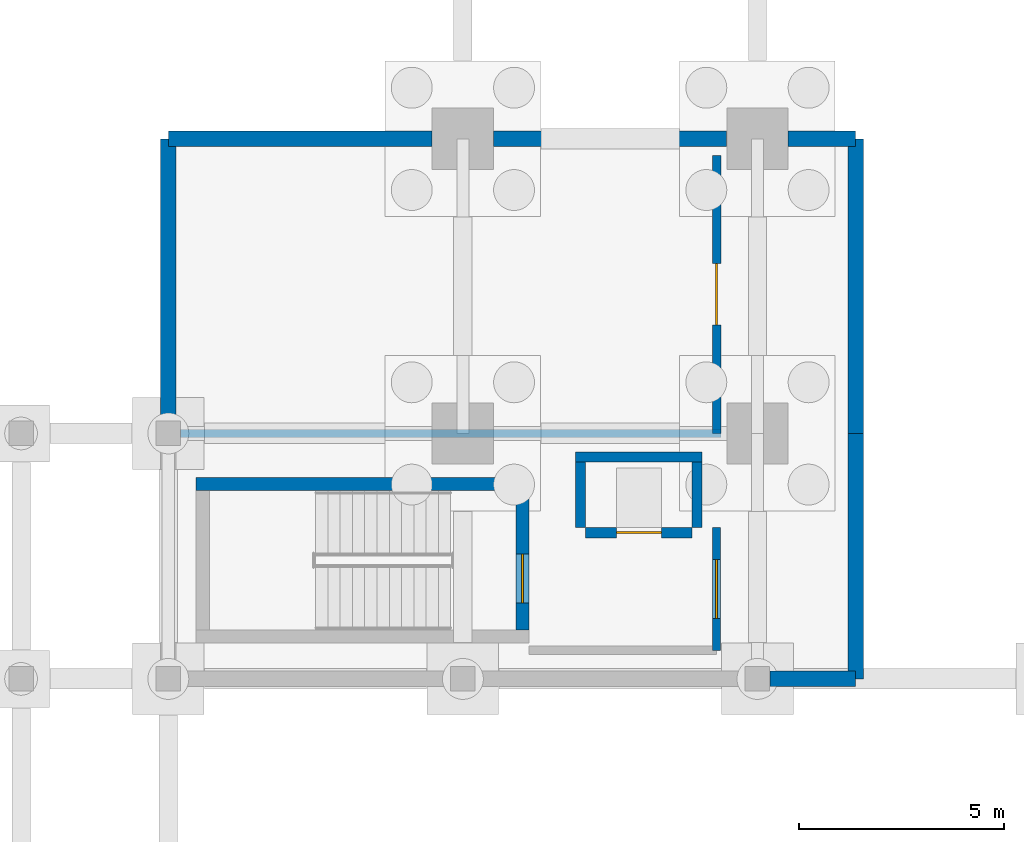
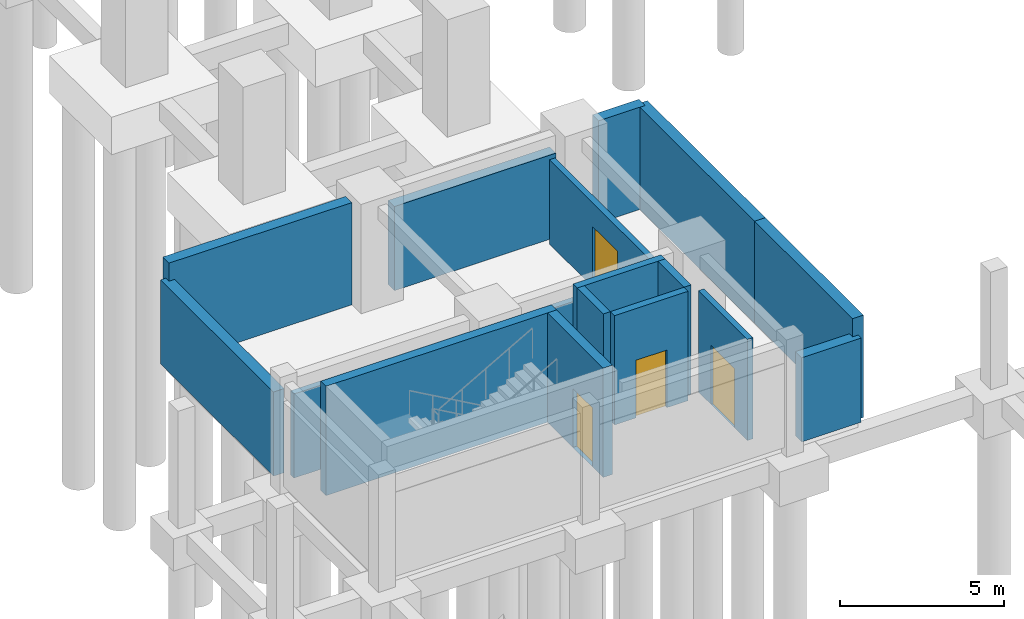
# One storey, part 14 of 20: 16 walls, 4 doors, 4 openings.
"""IFC4 building model written with IfcOpenShell, lengths in metres."""

from ifc_helpers import new_model, si_unit, direction, frame, frame_2d, origin, place, context, subcontext, project, spatial, rectangle, extrude, material, layer, layer_set, type_object, element, fill, save


model = new_model("IFC4")

# Units and contexts
model_context = context("Model", 3, precision=1e-05, world=origin(), true_north=direction((0.0, 1.0)))
body_context = subcontext(model_context, "Body", "Model", "MODEL_VIEW")
ifc_project = project(units=[si_unit("LENGTHUNIT", "METRE"), si_unit("AREAUNIT", "SQUARE_METRE"), si_unit("VOLUMEUNIT", "CUBIC_METRE"), si_unit("PLANEANGLEUNIT", "RADIAN"), si_unit("MASSUNIT", "GRAM", prefix="KILO")], contexts=[model_context])

# Site, building, storey
site_placement = place(None, origin())
site = spatial("IfcSite", under=ifc_project, at=site_placement, CompositionType="ELEMENT")
building_placement = place(site_placement, origin())
building = spatial("IfcBuilding", under=site, at=building_placement, Name="Nzembalo Square Collegiate School", CompositionType="ELEMENT")
storey_placement = place(building_placement, frame((0.0, 0.0, -4.080078125)))
storey = spatial("IfcBuildingStorey", under=building, at=storey_placement, Name="B1", CompositionType="ELEMENT", Elevation=-4.080078125)

# Wall
ifc_material_1 = material(Name="Concrete C40/50", Category="concrete")
ifc_layer_1 = layer(ifc_material_1, 0.320068359375, Name="Concrete C40/50")
ifc_layer_set_1 = layer_set([ifc_layer_1], Name="Concrete C40/50")
wall_type_1 = type_object("IfcWallType", Name="SW01", PredefinedType="SHEAR", material=ifc_layer_set_1)
wall_1_placement = place(storey_placement, frame((9.080078125, 49.159912109375, 0.0), z_axis=(0.0, 0.0, 1.0), x_axis=(1.0, 0.0, 0.0)))
element("IfcWall", 1, at=wall_1_placement, inside=storey, type_object=wall_type_1, Name="Core C1 stair shear wall N B1", PredefinedType="SHEAR", context=body_context, shape_type="SweptSolid", body=[
    extrude(rectangle(XDim=8.139892578125, YDim=0.320068359375, at=frame_2d((4.06982421875, 0.0))), origin(), (0.0, 0.0, 1.0), 4.080078125),
])

# Wall, opening, door
wall_2_placement = place(storey_placement, frame((17.06005859375, 45.60009765625, 0.0), z_axis=(0.0, 0.0, 1.0), x_axis=(0.0, 1.0, 0.0)))
wall_2 = element("IfcWall", 2, at=wall_2_placement, inside=storey, type_object=wall_type_1, Name="Core C1 stair shear wall E B1", PredefinedType="SHEAR", context=body_context, shape_type="SweptSolid", body=[
    extrude(rectangle(XDim=3.39990234375, YDim=0.320068359375, at=frame_2d((1.699951171875, 0.0))), origin(), (0.0, 0.0, 1.0), 4.080078125),
])
opening_1_placement = place(wall_2_placement, frame((0.64990234375, 0.0, 0.0)))
opening_1 = element("IfcOpeningElement", 3, at=opening_1_placement, cuts=wall_2, Name="Opening FD-001", PredefinedType="OPENING", context=body_context, shape_type="SweptSolid", body=[
    extrude(rectangle(XDim=1.199951171875, YDim=2.199951171875, at=frame_2d((0.60009765625, 1.10009765625))), frame((0.0, 0.169921875, 0.0), z_axis=(0.0, -1.0, 0.0), x_axis=(1.0, 0.0, 0.0)), (0.0, 0.0, 1.0), 0.340087890625),
])
ifc_material_2 = material(Name="Fire-rated steel acoustic door", Category="steel")
door_type_1 = type_object("IfcDoorType", Name="FD01", OperationType="NOTDEFINED", PredefinedType="DOOR", material=ifc_material_2)
door_1_placement = place(opening_1_placement, origin())
door_1 = element("IfcDoor", 4, at=door_1_placement, inside=storey, type_object=door_type_1, Name="Stair fire door FD-001", OperationType="SINGLE_SWING_LEFT", OverallHeight=2.199951171875, OverallWidth=1.199951171875, PredefinedType="DOOR", context=body_context, shape_type="SweptSolid", body=[
    extrude(rectangle(XDim=1.199951171875, YDim=2.199951171875, at=frame_2d((0.60009765625, 1.10009765625))), frame((0.0, 0.02490234375, 0.0), z_axis=(0.0, -1.0, 0.0), x_axis=(1.0, 0.0, 0.0)), (0.0, 0.0, 1.0), 0.050048828125),
])
fill(opening_1, door_1)

# Walls
ifc_material_3 = material(Name="Concrete C35/45", Category="concrete")
ifc_layer_2 = layer(ifc_material_3, 0.25, Name="Concrete C35/45")
ifc_layer_set_2 = layer_set([ifc_layer_2], Name="Concrete C35/45")
wall_type_2 = type_object("IfcWallType", Name="SW05", PredefinedType="SHEAR", material=ifc_layer_set_2)
for number, where, z_axis, x_axis, name in (
    (5, (18.47509765625, 48.10009765625, 0.0), (0.0, 0.0, 1.0), (0.0, 1.0, 0.0), "Lift LF1 shaft wall W B1"),
    (6, (21.324951171875, 48.10009765625, 0.0), (0.0, 0.0, 1.0), (0.0, 1.0, 0.0), "Lift LF1 shaft wall E B1"),
):
    element("IfcWall", number, at=place(storey_placement, frame(where, z_axis=z_axis, x_axis=x_axis)), inside=storey, type_object=wall_type_2, Name=name, PredefinedType="SHEAR", context=body_context, shape_type="SweptSolid", body=[
        extrude(rectangle(XDim=1.599853515625, YDim=0.25, at=frame_2d((0.7998046875, 0.0))), origin(), (0.0, 0.0, 1.0), 4.080078125),
    ])
wall_3_placement = place(storey_placement, frame((18.35009765625, 49.824951171875, 0.0), z_axis=(0.0, 0.0, 1.0), x_axis=(1.0, 0.0, 0.0)))
element("IfcWall", 7, at=wall_3_placement, inside=storey, type_object=wall_type_2, Name="Lift LF1 shaft wall N B1", PredefinedType="SHEAR", context=body_context, shape_type="SweptSolid", body=[
    extrude(rectangle(XDim=3.099853515625, YDim=0.25, at=frame_2d((1.5498046875, 0.0))), origin(), (0.0, 0.0, 1.0), 4.080078125),
])

# Wall, opening, door
wall_4_placement = place(storey_placement, frame((18.60009765625, 47.97509765625, 0.0), z_axis=(0.0, 0.0, 1.0), x_axis=(1.0, 0.0, 0.0)))
wall_4 = element("IfcWall", 8, at=wall_4_placement, inside=storey, type_object=wall_type_2, Name="Lift LF1 landing front wall B1", PredefinedType="SHEAR", context=body_context, shape_type="SweptSolid", body=[
    extrude(rectangle(XDim=2.599853515625, YDim=0.25, at=frame_2d((1.2998046875, 0.0))), origin(), (0.0, 0.0, 1.0), 4.080078125),
])
opening_2_placement = place(wall_4_placement, frame((0.75, 0.0, 0.0)))
opening_2 = element("IfcOpeningElement", 9, at=opening_2_placement, cuts=wall_4, Name="Opening LD-LF1-B1", PredefinedType="OPENING", context=body_context, shape_type="SweptSolid", body=[
    extrude(rectangle(XDim=1.10009765625, YDim=2.14990234375, at=frame_2d((0.550048828125, 1.074951171875))), frame((0.0, 0.135009765625, 0.0), z_axis=(0.0, -1.0, 0.0), x_axis=(1.0, 0.0, 0.0)), (0.0, 0.0, 1.0), 0.27001953125),
])
ifc_material_4 = material(Name="Stainless-steel sliding landing door", Category="steel")
door_type_2 = type_object("IfcDoorType", Name="LD01", OperationType="DOUBLE_DOOR_SLIDING", PredefinedType="DOOR", material=ifc_material_4)
door_2_placement = place(opening_2_placement, origin())
door_2 = element("IfcDoor", 10, at=door_2_placement, inside=storey, type_object=door_type_2, Name="Sliding lift landing door LD-LF1-B1", OperationType="DOUBLE_DOOR_SLIDING", OverallHeight=2.14990234375, OverallWidth=1.10009765625, PredefinedType="DOOR", context=body_context, shape_type="SweptSolid", body=[
    extrude(rectangle(XDim=1.10009765625, YDim=2.14990234375, at=frame_2d((0.550048828125, 1.074951171875))), frame((0.0, 0.02490234375, 0.0), z_axis=(0.0, -1.0, 0.0), x_axis=(1.0, 0.0, 0.0)), (0.0, 0.0, 1.0), 0.050048828125),
])
fill(opening_2, door_2)

# Walls
ifc_material_5 = material(Name="Concrete C35/45", Category="concrete")
ifc_layer_3 = layer(ifc_material_5, 0.3798828125, Name="Concrete C35/45")
ifc_layer_set_3 = layer_set([ifc_layer_3], Name="Concrete C35/45")
wall_type_3 = type_object("IfcWallType", Name="W09", PredefinedType="SOLIDWALL", material=ifc_layer_set_3)
wall_5_placement = place(storey_placement, frame((8.39990234375, 50.701904296875, 0.0), z_axis=(0.0, 0.0, 1.0), x_axis=(0.0, 1.0, 0.0)))
element("IfcWall", 11, at=wall_5_placement, inside=storey, type_object=wall_type_3, Name="Exterior wall W09 B1", PredefinedType="SOLIDWALL", context=body_context, shape_type="SweptSolid", body=[
    extrude(rectangle(XDim=6.898193359375, YDim=0.3798828125, at=frame_2d((3.44921875, 0.0))), origin(), (0.0, 0.0, 1.0), 3.13916015625),
])
wall_6_placement = place(storey_placement, frame((8.39990234375, 57.60009765625, 0.0), z_axis=(0.0, 0.0, 1.0), x_axis=(1.0, 0.0, 0.0)))
element("IfcWall", 12, at=wall_6_placement, inside=storey, type_object=wall_type_3, Name="Exterior wall W09 B1", PredefinedType="SOLIDWALL", context=body_context, shape_type="SweptSolid", body=[
    extrude(rectangle(XDim=6.447998046875, YDim=0.3798828125, at=frame_2d((3.22412109375, 0.0))), origin(), (0.0, 0.0, 1.0), 3.81396484375),
])
wall_7_placement = place(storey_placement, frame((16.35205078125, 57.60009765625, 0.0), z_axis=(0.0, 0.0, 1.0), x_axis=(1.0, 0.0, 0.0)))
element("IfcWall", 13, at=wall_7_placement, inside=storey, type_object=wall_type_3, Name="Exterior wall W09 B1", PredefinedType="SOLIDWALL", context=body_context, shape_type="SweptSolid", body=[
    extrude(rectangle(XDim=5.696044921875, YDim=0.3798828125, at=frame_2d((2.84814453125, 0.0))), origin(), (0.0, 0.0, 1.0), 3.13916015625),
])
wall_8_placement = place(storey_placement, frame((23.552001953125, 57.60009765625, 0.0), z_axis=(0.0, 0.0, 1.0), x_axis=(1.0, 0.0, 0.0)))
element("IfcWall", 14, at=wall_8_placement, inside=storey, type_object=wall_type_3, Name="Exterior wall W09 B1", PredefinedType="SOLIDWALL", context=body_context, shape_type="SweptSolid", body=[
    extrude(rectangle(XDim=1.64794921875, YDim=0.3798828125, at=frame_2d((0.823974609375, 0.0))), origin(), (0.0, 0.0, 1.0), 3.81396484375),
])
wall_9_placement = place(storey_placement, frame((25.199951171875, 44.39990234375, 0.0), z_axis=(0.0, 0.0, 1.0), x_axis=(0.0, 1.0, 0.0)))
element("IfcWall", 15, at=wall_9_placement, inside=storey, type_object=wall_type_3, Name="Exterior wall W09 B1", PredefinedType="SOLIDWALL", context=body_context, shape_type="SweptSolid", body=[
    extrude(rectangle(XDim=6.0, YDim=0.3798828125, at=frame_2d((3.0, 0.0))), origin(), (0.0, 0.0, 1.0), 3.81396484375),
])
wall_10_placement = place(storey_placement, frame((25.199951171875, 50.39990234375, 0.0), z_axis=(0.0, 0.0, 1.0), x_axis=(0.0, 1.0, 0.0)))
element("IfcWall", 16, at=wall_10_placement, inside=storey, type_object=wall_type_3, Name="Exterior wall W09 B1", PredefinedType="SOLIDWALL", context=body_context, shape_type="SweptSolid", body=[
    extrude(rectangle(XDim=7.2001953125, YDim=0.3798828125, at=frame_2d((3.60009765625, 0.0))), origin(), (0.0, 0.0, 1.0), 3.81396484375),
])
wall_11_placement = place(storey_placement, frame((23.10205078125, 44.39990234375, 0.0), z_axis=(0.0, 0.0, 1.0), x_axis=(1.0, 0.0, 0.0)))
element("IfcWall", 17, at=wall_11_placement, inside=storey, type_object=wall_type_3, Name="Exterior wall W09 B1", PredefinedType="SOLIDWALL", context=body_context, shape_type="SweptSolid", body=[
    extrude(rectangle(XDim=2.097900390625, YDim=0.3798828125, at=frame_2d((1.048828125, 0.0))), origin(), (0.0, 0.0, 1.0), 3.13916015625),
])

# Wall, opening, door
ifc_material_6 = material(Name="Concrete blockwork C25/30", Category="masonry")
ifc_layer_4 = layer(ifc_material_6, 0.199951171875, Name="Concrete blockwork C25/30")
ifc_layer_set_4 = layer_set([ifc_layer_4], Name="Concrete blockwork C25/30")
wall_type_4 = type_object("IfcWallType", Name="W11", PredefinedType="PARTITIONING", material=ifc_layer_set_4)
wall_12_placement = place(storey_placement, frame((21.800048828125, 45.10009765625, 0.0), z_axis=(0.0, 0.0, 1.0), x_axis=(0.0, 1.0, 0.0)))
wall_12 = element("IfcWall", 18, at=wall_12_placement, inside=storey, type_object=wall_type_4, Name="Core C1 EI 60 lobby wall E B1", PredefinedType="PARTITIONING", context=body_context, shape_type="SweptSolid", body=[
    extrude(rectangle(XDim=3.0, YDim=0.199951171875, at=frame_2d((1.5, 0.0))), origin(), (0.0, 0.0, 1.0), 3.774169921875),
])
opening_3_placement = place(wall_12_placement, frame((0.77490234375, 0.0, 0.0)))
opening_3 = element("IfcOpeningElement", 19, at=opening_3_placement, cuts=wall_12, Name="Opening FD-002", PredefinedType="OPENING", context=body_context, shape_type="SweptSolid", body=[
    extrude(rectangle(XDim=1.449951171875, YDim=2.199951171875, at=frame_2d((0.72509765625, 1.10009765625))), frame((0.0, 0.10986328125, 0.0), z_axis=(0.0, -1.0, 0.0), x_axis=(1.0, 0.0, 0.0)), (0.0, 0.0, 1.0), 0.219970703125),
])
ifc_material_7 = material(Name="Fire-rated double lobby door")
door_type_3 = type_object("IfcDoorType", Name="FD02", OperationType="DOUBLE_DOOR_SINGLE_SWING", PredefinedType="DOOR", material=ifc_material_7)
door_3_placement = place(opening_3_placement, frame((1.449951171875, 0.0, 0.0), z_axis=(0.0, 0.0, 1.0), x_axis=(-1.0, 0.0, 0.0)))
door_3 = element("IfcDoor", 20, at=door_3_placement, inside=storey, type_object=door_type_3, Name="Protected lobby fire door FD-002", OperationType="DOUBLE_DOOR_SINGLE_SWING", OverallHeight=2.199951171875, OverallWidth=1.449951171875, PredefinedType="DOOR", context=body_context, shape_type="SweptSolid", body=[
    extrude(rectangle(XDim=1.449951171875, YDim=2.199951171875, at=frame_2d((0.72509765625, 1.10009765625))), frame((0.0, 0.02490234375, 0.0), z_axis=(0.0, -1.0, 0.0), x_axis=(1.0, 0.0, 0.0)), (0.0, 0.0, 1.0), 0.050048828125),
])
fill(opening_3, door_3)

# Wall
ifc_material_8 = material(Name="Concrete blockwork C25/30", Category="masonry")
ifc_layer_5 = layer(ifc_material_8, 0.205078125, Name="Concrete blockwork C25/30")
ifc_layer_set_5 = layer_set([ifc_layer_5], Name="Concrete blockwork C25/30")
wall_type_5 = type_object("IfcWallType", Name="W21", PredefinedType="PARTITIONING", material=ifc_layer_set_5)
wall_13_placement = place(storey_placement, frame((8.697509765625, 50.39990234375, 0.0), z_axis=(0.0, 0.0, 1.0), x_axis=(1.0, 0.0, 0.0)))
element("IfcWall", 21, at=wall_13_placement, inside=storey, type_object=wall_type_5, Name="Interior partition W21 B1-008-S", PredefinedType="PARTITIONING", context=body_context, shape_type="SweptSolid", body=[
    extrude(rectangle(XDim=13.205078125, YDim=0.205078125, at=frame_2d((6.6025390625, 0.0))), origin(), (0.0, 0.0, 1.0), 3.13916015625),
])

# Wall, opening, door
wall_14_placement = place(storey_placement, frame((21.800048828125, 50.39990234375, 0.0), z_axis=(0.0, 0.0, 1.0), x_axis=(0.0, 1.0, 0.0)))
wall_14 = element("IfcWall", 22, at=wall_14_placement, inside=storey, type_object=wall_type_5, Name="Interior partition W21 B1-008-E", PredefinedType="PARTITIONING", context=body_context, shape_type="SweptSolid", body=[
    extrude(rectangle(XDim=6.800048828125, YDim=0.205078125, at=frame_2d((3.39990234375, 0.0))), origin(), (0.0, 0.0, 1.0), 3.13916015625),
])
opening_4_placement = place(wall_14_placement, frame((2.64990234375, 0.0, 0.0)))
opening_4 = element("IfcOpeningElement", 23, at=opening_4_placement, cuts=wall_14, Name="Opening D-B1-001", PredefinedType="OPENING", context=body_context, shape_type="SweptSolid", body=[
    extrude(rectangle(XDim=1.5, YDim=2.25, at=frame_2d((0.75, 1.125))), frame((0.0, 0.112548828125, 0.0), z_axis=(0.0, -1.0, 0.0), x_axis=(1.0, 0.0, 0.0)), (0.0, 0.0, 1.0), 0.22509765625),
])
ifc_material_9 = material(Name="Fire-rated plant double door")
door_type_4 = type_object("IfcDoorType", Name="FD04", OperationType="DOUBLE_DOOR_SINGLE_SWING", PredefinedType="DOOR", material=ifc_material_9)
door_4_placement = place(opening_4_placement, origin())
door_4 = element("IfcDoor", 24, at=door_4_placement, inside=storey, type_object=door_type_4, Name="Interior door D-B1-001 (West Sprinkler Pump Plant Room)", OperationType="DOUBLE_DOOR_SINGLE_SWING", OverallHeight=2.25, OverallWidth=1.5, PredefinedType="DOOR", context=body_context, shape_type="SweptSolid", body=[
    extrude(rectangle(XDim=1.5, YDim=2.25, at=frame_2d((0.75, 1.125))), frame((0.0, 0.02490234375, 0.0), z_axis=(0.0, -1.0, 0.0), x_axis=(1.0, 0.0, 0.0)), (0.0, 0.0, 1.0), 0.050048828125),
])
fill(opening_4, door_4)

save(model, "model.ifc")
